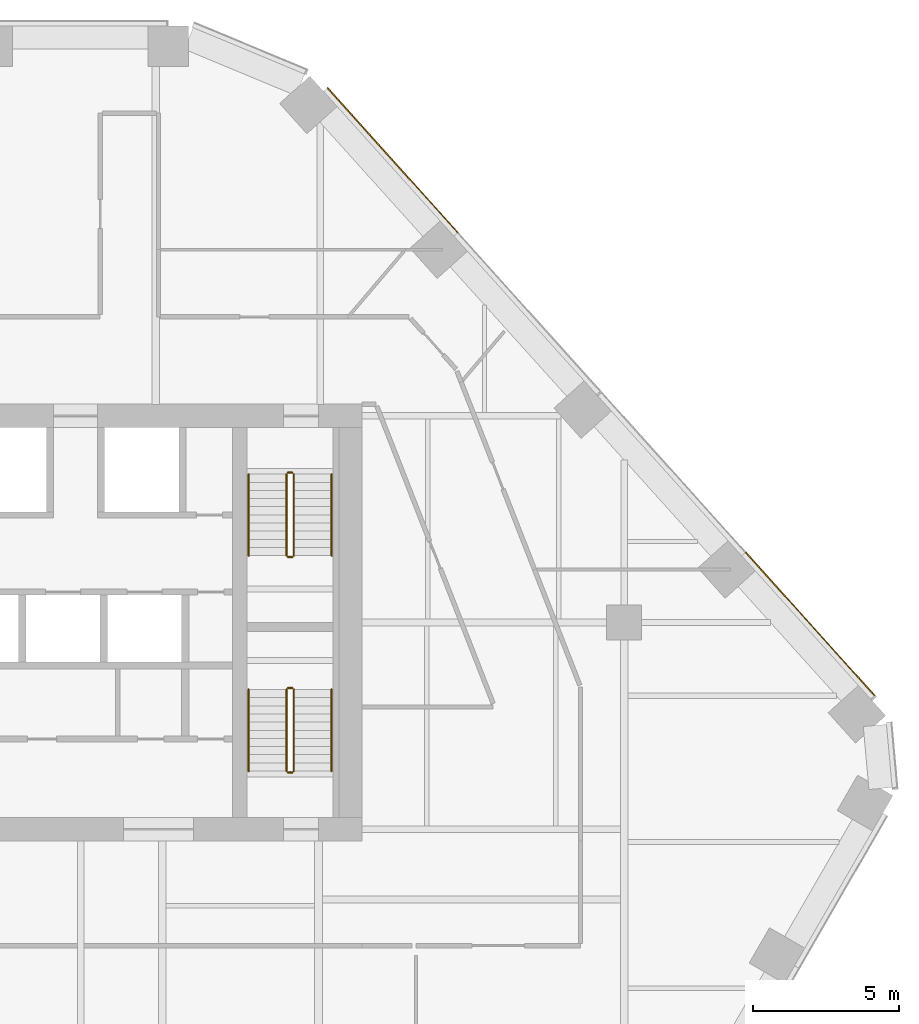
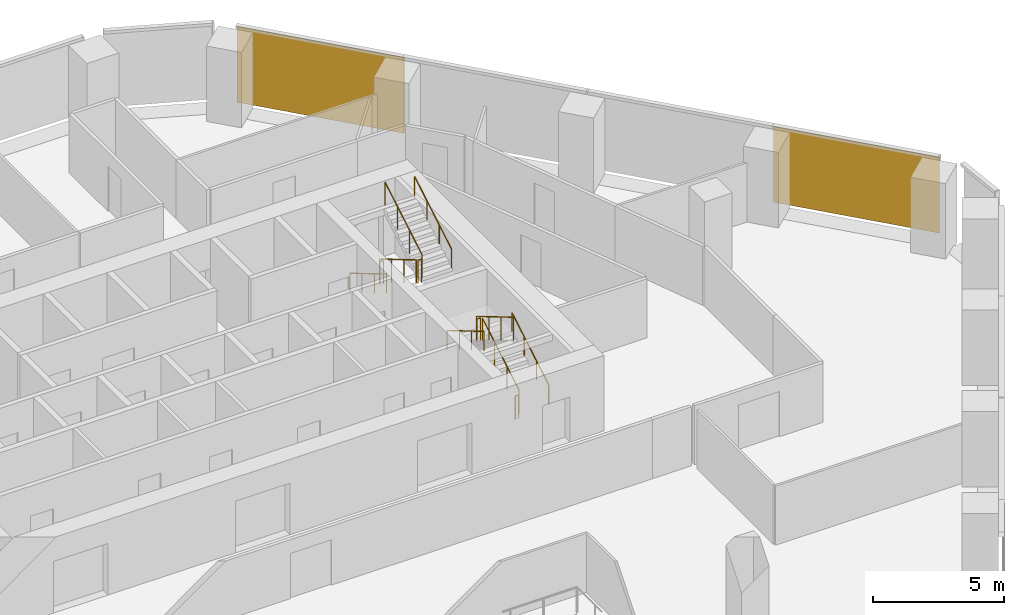
# One storey, part 16 of 16: 12 railings, 2 coverings, 1 element without a shape of its own.
"""IFC4 building model written with IfcOpenShell, lengths in metres."""

from ifc_helpers import new_model, si_unit, direction, frame, origin, origin_2d, place, context, subcontext, project, spatial, rectangle, circle, extrude, material, layer, layer_set, type_object, element, aggregate, save


model = new_model("IFC4")

# Units and contexts
model_context = context("Model", 3, precision=1e-05, world=origin(), true_north=direction((0.0, 1.0)))
body_context = subcontext(model_context, "Body", "Model", "MODEL_VIEW")
ifc_project = project(units=[si_unit("LENGTHUNIT", "METRE"), si_unit("AREAUNIT", "SQUARE_METRE"), si_unit("VOLUMEUNIT", "CUBIC_METRE"), si_unit("PLANEANGLEUNIT", "RADIAN"), si_unit("MASSUNIT", "GRAM", prefix="KILO")], contexts=[model_context])

# Site, building, storey
site_placement = place(None, origin())
site = spatial("IfcSite", under=ifc_project, at=site_placement, CompositionType="ELEMENT")
building_placement = place(site_placement, origin())
building = spatial("IfcBuilding", under=site, at=building_placement, Name="Isthmus Gate Tower", CompositionType="ELEMENT")
storey_placement = place(building_placement, frame((0.0, 0.0, 133.449951171875)))
storey = spatial("IfcBuildingStorey", under=building, at=storey_placement, Name="L32", CompositionType="ELEMENT", Elevation=133.449951171875)

# Curtain wall, coverings
ifc_material_1 = material(Name="Aluminium, pale champagne anodised", Category="aluminium")
ifc_layer_1 = layer(ifc_material_1, 0.199951171875)
ifc_layer_set_1 = layer_set([ifc_layer_1], Name="CW-1 UNITISED CURTAIN WALL 200 DEEP")
curtain_wall_type = type_object("IfcCurtainWallType", Name="CW-1 UNITISED CURTAIN WALL 200 DEEP", PredefinedType="NOTDEFINED", material=ifc_layer_set_1)
curtain_wall_placement = place(storey_placement, origin())
curtain_wall = element("IfcCurtainWall", 1, at=curtain_wall_placement, inside=storey, type_object=curtain_wall_type, Name="CW-1 NE L32", PredefinedType="NOTDEFINED")
ifc_material_2 = material(Name="Aluminium composite panel, pale champagne anodised", Category="aluminium")
ifc_layer_2 = layer(ifc_material_2, 0.035888671875)
ifc_layer_set_2 = layer_set([ifc_layer_2], Name="CW-1 PALE METAL PANEL 36")
covering_type = type_object("IfcCoveringType", Name="CW-1 PALE METAL PANEL 36", PredefinedType="CLADDING", material=ifc_layer_set_2)
covering_1_placement = place(storey_placement, frame((30.3916015625, 7.449462890625, 0.0), z_axis=(0.0, 0.0, 1.0), x_axis=(-0.669130606359, 0.743144825477, 0.0)))
covering_1 = element("IfcCovering", 2, at=covering_1_placement, type_object=covering_type, Name="CW-1 pale metal panel", PredefinedType="CLADDING", context=body_context, shape_type="SweptSolid", body=[
    extrude(rectangle(XDim=6.630859375, YDim=0.035888671875, at=origin_2d()), origin(), (0.0, 0.0, 1.0), 3.510009765625),
])
covering_2_placement = place(storey_placement, frame((16.0439453125, 23.38427734375, 0.0), z_axis=(0.0, 0.0, 1.0), x_axis=(-0.669130606359, 0.743144825477, 0.0)))
covering_2 = element("IfcCovering", 3, at=covering_2_placement, type_object=covering_type, Name="CW-1 pale metal panel", PredefinedType="CLADDING", context=body_context, shape_type="SweptSolid", body=[
    extrude(rectangle(XDim=6.690673828125, YDim=0.035888671875, at=origin_2d()), origin(), (0.0, 0.0, 1.0), 3.510009765625),
])
aggregate(curtain_wall, [covering_1, covering_2])

# Railings
ifc_material_3 = material(Name="Stainless steel balustrade", Category="steel")
railing_type_1 = type_object("IfcRailingType", Name="STAIR GUARD 1100", PredefinedType="GUARDRAIL", material=ifc_material_3)
railing_1_placement = place(storey_placement, frame((12.39990234375, 12.60009765625, 0.166015625)))
element("IfcRailing", 4, at=railing_1_placement, inside=storey, type_object=railing_type_1, Name="L32 ST2 stair guard 1", PredefinedType="GUARDRAIL", context=body_context, shape_type="SweptSolid", body=[
    extrude(circle(Radius=0.02392578125, at=origin_2d()), frame((0.0, 0.0, 1.076171875), z_axis=(0.0, -0.860339051648, 0.50972219513), x_axis=(1.0, 0.0, 0.0)), (0.0, 0.0, 1.0), 3.254638671875),
    extrude(circle(Radius=0.02099609375, at=origin_2d()), origin(), (0.0, 0.0, 1.0), 1.052001953125),
    extrude(circle(Radius=0.02099609375, at=origin_2d()), frame((0.0, -0.933349609375, 0.552978515625)), (0.0, 0.0, 1.0), 1.052001953125),
    extrude(circle(Radius=0.02099609375, at=origin_2d()), frame((0.0, -1.86669921875, 1.10595703125)), (0.0, 0.0, 1.0), 1.052001953125),
    extrude(circle(Radius=0.02099609375, at=origin_2d()), frame((0.0, -2.800048828125, 1.658935546875)), (0.0, 0.0, 1.0), 1.052001953125),
])
railing_2_placement = place(storey_placement, frame((12.449951171875, 9.75, 1.824951171875)))
element("IfcRailing", 5, at=railing_2_placement, inside=storey, type_object=railing_type_1, Name="L32 ST2 stair guard 2", PredefinedType="GUARDRAIL", context=body_context, shape_type="SweptSolid", body=[
    extrude(circle(Radius=0.02392578125, at=origin_2d()), frame((0.0, 0.0, 1.076171875), z_axis=(1.0, 0.0, 0.0), x_axis=(0.0, 1.0, 0.0)), (0.0, 0.0, 1.0), 0.150146484375),
    extrude(circle(Radius=0.02099609375, at=origin_2d()), origin(), (0.0, 0.0, 1.0), 1.052001953125),
    extrude(circle(Radius=0.02099609375, at=origin_2d()), frame((0.150146484375, 0.0, 0.0)), (0.0, 0.0, 1.0), 1.052001953125),
])
railing_3_placement = place(storey_placement, frame((12.64990234375, 9.800048828125, 1.990966796875)))
element("IfcRailing", 6, at=railing_3_placement, inside=storey, type_object=railing_type_1, Name="L32 ST2 stair guard 3", PredefinedType="GUARDRAIL", context=body_context, shape_type="SweptSolid", body=[
    extrude(circle(Radius=0.02392578125, at=origin_2d()), frame((0.0, 0.0, 1.076171875), z_axis=(0.0, 0.860306154799, 0.50977771628), x_axis=(-1.0, 0.0, 0.0)), (0.0, 0.0, 1.0), 3.254638671875),
    extrude(circle(Radius=0.02099609375, at=origin_2d()), origin(), (0.0, 0.0, 1.0), 1.052001953125),
    extrude(circle(Radius=0.02099609375, at=origin_2d()), frame((0.0, 0.933349609375, 0.552978515625)), (0.0, 0.0, 1.0), 1.052001953125),
    extrude(circle(Radius=0.02099609375, at=origin_2d()), frame((0.0, 1.86669921875, 1.106201171875)), (0.0, 0.0, 1.0), 1.052001953125),
    extrude(circle(Radius=0.02099609375, at=origin_2d()), frame((0.0, 2.800048828125, 1.6591796875)), (0.0, 0.0, 1.0), 1.052001953125),
])
railing_4_placement = place(storey_placement, frame((12.449951171875, 12.64990234375, 0.0)))
element("IfcRailing", 7, at=railing_4_placement, inside=storey, type_object=railing_type_1, Name="L32 ST2 stair guard 4", PredefinedType="GUARDRAIL", context=body_context, shape_type="SweptSolid", body=[
    extrude(circle(Radius=0.02392578125, at=origin_2d()), frame((0.0, 0.0, 1.076171875), z_axis=(1.0, 0.0, 0.0), x_axis=(0.0, 1.0, 0.0)), (0.0, 0.0, 1.0), 0.150146484375),
    extrude(circle(Radius=0.02099609375, at=origin_2d()), origin(), (0.0, 0.0, 1.0), 1.052001953125),
    extrude(circle(Radius=0.02099609375, at=origin_2d()), frame((0.150146484375, 0.0, 0.0)), (0.0, 0.0, 1.0), 1.052001953125),
])
railing_5_placement = place(storey_placement, frame((12.64990234375, 2.39990234375, 0.166015625)))
element("IfcRailing", 8, at=railing_5_placement, inside=storey, type_object=railing_type_1, Name="L32 ST8 stair guard 1", PredefinedType="GUARDRAIL", context=body_context, shape_type="SweptSolid", body=[
    extrude(circle(Radius=0.02392578125, at=origin_2d()), frame((0.0, 0.0, 1.076171875), z_axis=(0.0, 0.860339051648, 0.50972219513), x_axis=(-1.0, 0.0, 0.0)), (0.0, 0.0, 1.0), 3.254638671875),
    extrude(circle(Radius=0.02099609375, at=origin_2d()), origin(), (0.0, 0.0, 1.0), 1.052001953125),
    extrude(circle(Radius=0.02099609375, at=origin_2d()), frame((0.0, 0.933349609375, 0.552978515625)), (0.0, 0.0, 1.0), 1.052001953125),
    extrude(circle(Radius=0.02099609375, at=origin_2d()), frame((0.0, 1.86669921875, 1.10595703125)), (0.0, 0.0, 1.0), 1.052001953125),
    extrude(circle(Radius=0.02099609375, at=origin_2d()), frame((0.0, 2.800048828125, 1.658935546875)), (0.0, 0.0, 1.0), 1.052001953125),
])
railing_6_placement = place(storey_placement, frame((12.60009765625, 5.25, 1.824951171875)))
element("IfcRailing", 9, at=railing_6_placement, inside=storey, type_object=railing_type_1, Name="L32 ST8 stair guard 2", PredefinedType="GUARDRAIL", context=body_context, shape_type="SweptSolid", body=[
    extrude(circle(Radius=0.02392578125, at=origin_2d()), frame((0.0, 0.0, 1.076171875), z_axis=(-1.0, 0.0, 0.0), x_axis=(0.0, -1.0, 0.0)), (0.0, 0.0, 1.0), 0.150146484375),
    extrude(circle(Radius=0.02099609375, at=origin_2d()), origin(), (0.0, 0.0, 1.0), 1.052001953125),
    extrude(circle(Radius=0.02099609375, at=origin_2d()), frame((-0.150146484375, 0.0, 0.0)), (0.0, 0.0, 1.0), 1.052001953125),
])
railing_7_placement = place(storey_placement, frame((12.39990234375, 5.199951171875, 1.990966796875)))
element("IfcRailing", 10, at=railing_7_placement, inside=storey, type_object=railing_type_1, Name="L32 ST8 stair guard 3", PredefinedType="GUARDRAIL", context=body_context, shape_type="SweptSolid", body=[
    extrude(circle(Radius=0.02392578125, at=origin_2d()), frame((0.0, 0.0, 1.076171875), z_axis=(0.0, -0.860306154799, 0.50977771628), x_axis=(1.0, 0.0, 0.0)), (0.0, 0.0, 1.0), 3.254638671875),
    extrude(circle(Radius=0.02099609375, at=origin_2d()), origin(), (0.0, 0.0, 1.0), 1.052001953125),
    extrude(circle(Radius=0.02099609375, at=origin_2d()), frame((0.0, -0.933349609375, 0.552978515625)), (0.0, 0.0, 1.0), 1.052001953125),
    extrude(circle(Radius=0.02099609375, at=origin_2d()), frame((0.0, -1.86669921875, 1.106201171875)), (0.0, 0.0, 1.0), 1.052001953125),
    extrude(circle(Radius=0.02099609375, at=origin_2d()), frame((0.0, -2.800048828125, 1.6591796875)), (0.0, 0.0, 1.0), 1.052001953125),
])
railing_8_placement = place(storey_placement, frame((12.60009765625, 2.35009765625, 0.0)))
element("IfcRailing", 11, at=railing_8_placement, inside=storey, type_object=railing_type_1, Name="L32 ST8 stair guard 4", PredefinedType="GUARDRAIL", context=body_context, shape_type="SweptSolid", body=[
    extrude(circle(Radius=0.02392578125, at=origin_2d()), frame((0.0, 0.0, 1.076171875), z_axis=(-1.0, 0.0, 0.0), x_axis=(0.0, -1.0, 0.0)), (0.0, 0.0, 1.0), 0.150146484375),
    extrude(circle(Radius=0.02099609375, at=origin_2d()), origin(), (0.0, 0.0, 1.0), 1.052001953125),
    extrude(circle(Radius=0.02099609375, at=origin_2d()), frame((-0.150146484375, 0.0, 0.0)), (0.0, 0.0, 1.0), 1.052001953125),
])
ifc_material_4 = material(Name="Stainless steel handrail", Category="steel")
railing_type_2 = type_object("IfcRailingType", Name="STAIR HANDRAIL 900", PredefinedType="HANDRAIL", material=ifc_material_4)
railing_9_placement = place(storey_placement, frame((11.10009765625, 12.60009765625, 0.166015625)))
element("IfcRailing", 12, at=railing_9_placement, inside=storey, type_object=railing_type_2, Name="L32 ST2 stair handrail 1", PredefinedType="HANDRAIL", context=body_context, shape_type="SweptSolid", body=[
    extrude(circle(Radius=0.02392578125, at=origin_2d()), frame((0.0, 0.0, 0.8759765625), z_axis=(0.0, -0.860339051648, 0.50972219513), x_axis=(1.0, 0.0, 0.0)), (0.0, 0.0, 1.0), 3.254638671875),
    extrude(circle(Radius=0.02099609375, at=origin_2d()), origin(), (0.0, 0.0, 1.0), 0.851806640625),
    extrude(circle(Radius=0.02099609375, at=origin_2d()), frame((0.0, -0.933349609375, 0.552978515625)), (0.0, 0.0, 1.0), 0.851806640625),
    extrude(circle(Radius=0.02099609375, at=origin_2d()), frame((0.0, -1.86669921875, 1.10595703125)), (0.0, 0.0, 1.0), 0.851806640625),
    extrude(circle(Radius=0.02099609375, at=origin_2d()), frame((0.0, -2.800048828125, 1.658935546875)), (0.0, 0.0, 1.0), 0.851806640625),
])
railing_10_placement = place(storey_placement, frame((13.949951171875, 9.800048828125, 1.990966796875)))
element("IfcRailing", 13, at=railing_10_placement, inside=storey, type_object=railing_type_2, Name="L32 ST2 stair handrail 2", PredefinedType="HANDRAIL", context=body_context, shape_type="SweptSolid", body=[
    extrude(circle(Radius=0.02392578125, at=origin_2d()), frame((0.0, 0.0, 0.8759765625), z_axis=(0.0, 0.860306154799, 0.50977771628), x_axis=(-1.0, 0.0, 0.0)), (0.0, 0.0, 1.0), 3.254638671875),
    extrude(circle(Radius=0.02099609375, at=origin_2d()), origin(), (0.0, 0.0, 1.0), 0.851806640625),
    extrude(circle(Radius=0.02099609375, at=origin_2d()), frame((0.0, 0.933349609375, 0.552978515625)), (0.0, 0.0, 1.0), 0.851806640625),
    extrude(circle(Radius=0.02099609375, at=origin_2d()), frame((0.0, 1.86669921875, 1.106201171875)), (0.0, 0.0, 1.0), 0.851806640625),
    extrude(circle(Radius=0.02099609375, at=origin_2d()), frame((0.0, 2.800048828125, 1.6591796875)), (0.0, 0.0, 1.0), 0.851806640625),
])
railing_11_placement = place(storey_placement, frame((13.949951171875, 2.39990234375, 0.166015625)))
element("IfcRailing", 14, at=railing_11_placement, inside=storey, type_object=railing_type_2, Name="L32 ST8 stair handrail 1", PredefinedType="HANDRAIL", context=body_context, shape_type="SweptSolid", body=[
    extrude(circle(Radius=0.02392578125, at=origin_2d()), frame((0.0, 0.0, 0.8759765625), z_axis=(0.0, 0.860339051648, 0.50972219513), x_axis=(-1.0, 0.0, 0.0)), (0.0, 0.0, 1.0), 3.254638671875),
    extrude(circle(Radius=0.02099609375, at=origin_2d()), origin(), (0.0, 0.0, 1.0), 0.851806640625),
    extrude(circle(Radius=0.02099609375, at=origin_2d()), frame((0.0, 0.933349609375, 0.552978515625)), (0.0, 0.0, 1.0), 0.851806640625),
    extrude(circle(Radius=0.02099609375, at=origin_2d()), frame((0.0, 1.86669921875, 1.10595703125)), (0.0, 0.0, 1.0), 0.851806640625),
    extrude(circle(Radius=0.02099609375, at=origin_2d()), frame((0.0, 2.800048828125, 1.658935546875)), (0.0, 0.0, 1.0), 0.851806640625),
])
railing_12_placement = place(storey_placement, frame((11.10009765625, 5.199951171875, 1.990966796875)))
element("IfcRailing", 15, at=railing_12_placement, inside=storey, type_object=railing_type_2, Name="L32 ST8 stair handrail 2", PredefinedType="HANDRAIL", context=body_context, shape_type="SweptSolid", body=[
    extrude(circle(Radius=0.02392578125, at=origin_2d()), frame((0.0, 0.0, 0.8759765625), z_axis=(0.0, -0.860306154799, 0.50977771628), x_axis=(1.0, 0.0, 0.0)), (0.0, 0.0, 1.0), 3.254638671875),
    extrude(circle(Radius=0.02099609375, at=origin_2d()), origin(), (0.0, 0.0, 1.0), 0.851806640625),
    extrude(circle(Radius=0.02099609375, at=origin_2d()), frame((0.0, -0.933349609375, 0.552978515625)), (0.0, 0.0, 1.0), 0.851806640625),
    extrude(circle(Radius=0.02099609375, at=origin_2d()), frame((0.0, -1.86669921875, 1.106201171875)), (0.0, 0.0, 1.0), 0.851806640625),
    extrude(circle(Radius=0.02099609375, at=origin_2d()), frame((0.0, -2.800048828125, 1.6591796875)), (0.0, 0.0, 1.0), 0.851806640625),
])

save(model, "model.ifc")
